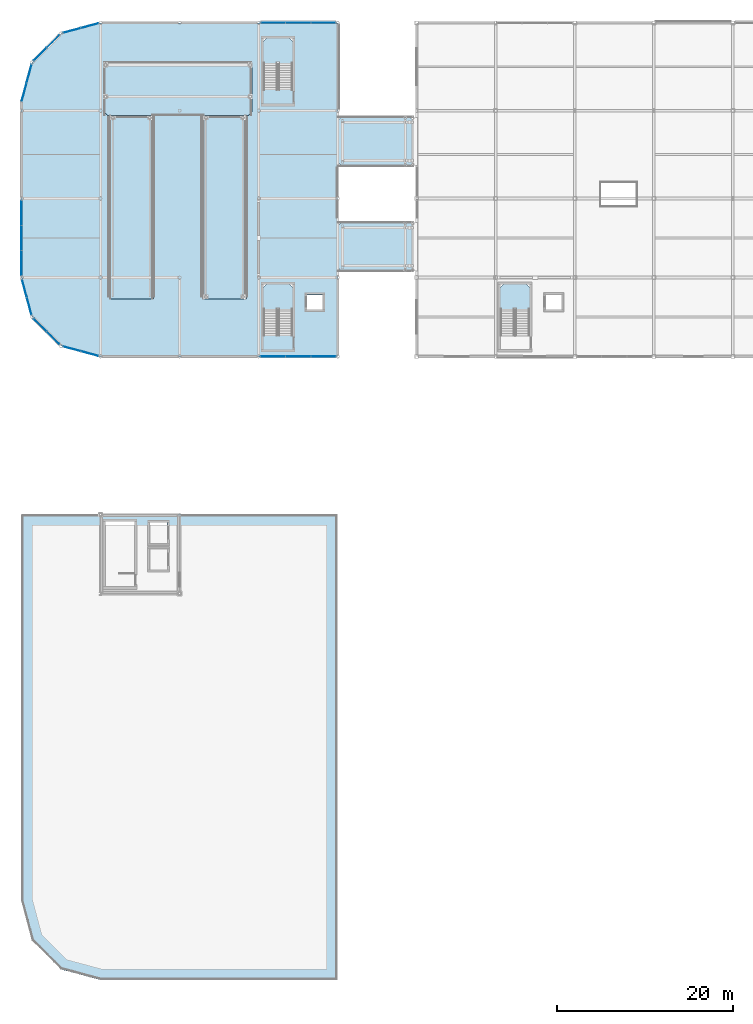
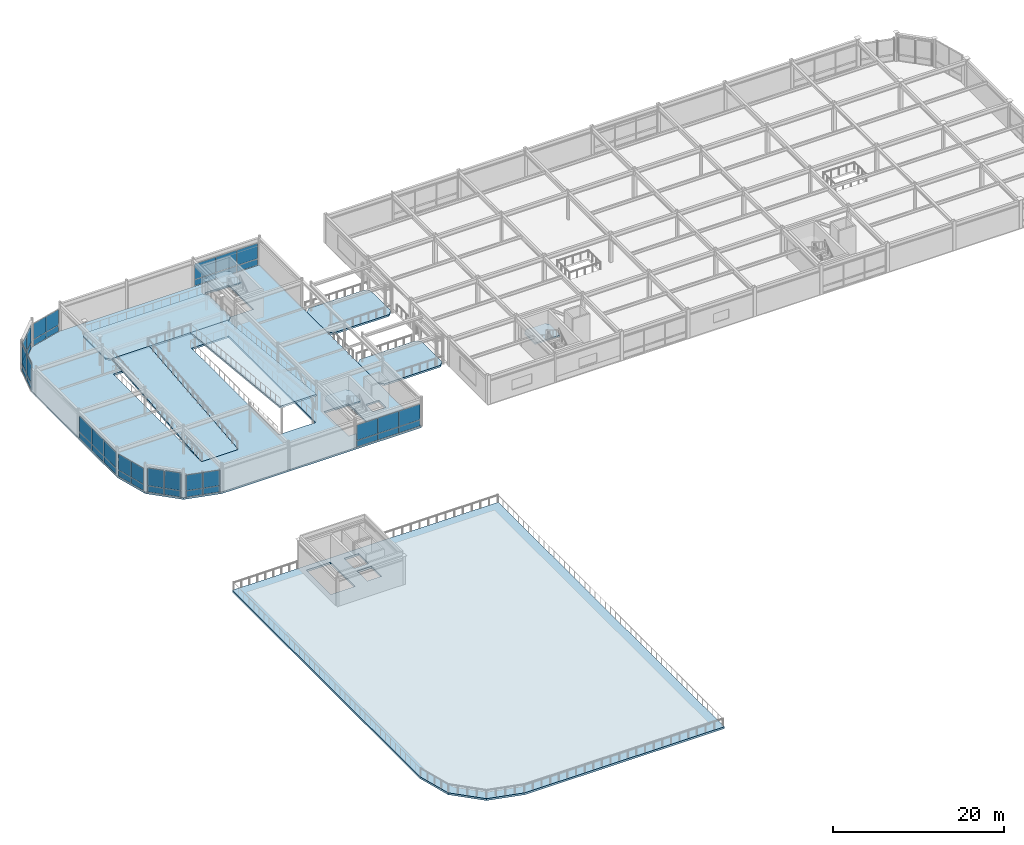
# One storey, part 40 of 70: 42 plates, 10 slabs, 12 elements without a shape of their own.
"""IFC4 building model written with IfcOpenShell, lengths in metres."""

import ifcopenshell
import ifcopenshell.guid

model = None  # the IFC model being written
_history = None  # IfcOwnerHistory: only IFC2X3 demands one
_inside = {}  # id of a spatial element -> (the spatial element, [elements in it])
_under = {}  # id of a project, library or spatial element -> (it, [spatial elements below it])
_declared = {}  # id of a project -> (the project, [libraries it declares])
_typed = {}  # id of a type object -> (the type object, [elements of that type])
_made_of = {}  # id of a material, layer set ... -> (it, [elements and type objects made of it])


def new_model(schema):
    """Start an empty IFC model of exactly this schema.

    Asked for "IFC4X3", IfcOpenShell would pick the latest addendum, in which some entities
    have other attributes; the version numbers below select the first issue.
    IFC2X3 requires an IfcOwnerHistory on every rooted entity: one is made here for all.
    """
    global model, _history
    if schema == "IFC4X3":
        model = ifcopenshell.file(schema_version=(4, 3, 0, 0))
    else:
        model = ifcopenshell.file(schema=schema)
    _inside.clear()
    _under.clear()
    _declared.clear()
    _typed.clear()
    _made_of.clear()
    _history = None
    if model.schema == "IFC2X3":
        org = make("IfcOrganization", Name="unknown")
        user = make(
            "IfcPersonAndOrganization",
            ThePerson=make("IfcPerson", FamilyName="unknown"),
            TheOrganization=org,
        )
        app = make(
            "IfcApplication",
            ApplicationDeveloper=org,
            Version="unknown",
            ApplicationFullName="unknown",
            ApplicationIdentifier="unknown",
        )
        _history = make(
            "IfcOwnerHistory",
            OwningUser=user,
            OwningApplication=app,
            ChangeAction="ADDED",
            CreationDate=0,
        )
    return model


def make(cls, **values):
    """One entity of the class cls with the attributes given. An attribute that is None is left unset."""
    return model.create_entity(
        cls, **{name: value for name, value in values.items() if value is not None}
    )


def rooted(cls, **values):
    """An entity with a GlobalId (a new one), such as an element, a storey or a relation."""
    return make(cls, GlobalId=ifcopenshell.guid.new(), OwnerHistory=_history, **values)


def si_unit(unit_type, name, prefix=None):
    """IfcSIUnit, for example si_unit("LENGTHUNIT", "METRE", prefix="MILLI")."""
    return make("IfcSIUnit", UnitType=unit_type, Prefix=prefix, Name=name)


def assignment(units):
    """IfcUnitAssignment: the units of a project."""
    return None if units is None else make("IfcUnitAssignment", Units=units)


def point(xyz):
    """IfcCartesianPoint."""
    return None if xyz is None else make("IfcCartesianPoint", Coordinates=xyz)


def direction(xyz):
    """IfcDirection."""
    return None if xyz is None else make("IfcDirection", DirectionRatios=xyz)


def frame(location, z_axis=None, x_axis=None):
    """IfcAxis2Placement3D, a coordinate frame: its origin and axes. An axis left out is left unset."""
    return make(
        "IfcAxis2Placement3D",
        Location=point(location),
        Axis=direction(z_axis),
        RefDirection=direction(x_axis),
    )


def frame_2d(location, x_axis=None):
    """IfcAxis2Placement2D, a coordinate frame in the plane: its origin and x axis."""
    return make(
        "IfcAxis2Placement2D", Location=point(location), RefDirection=direction(x_axis)
    )


def origin():
    """The frame at (0, 0, 0) with its axes left unset."""
    return frame((0.0, 0.0, 0.0))


def origin_2d():
    """The frame at (0, 0) in the plane with its x axis left unset."""
    return frame_2d((0.0, 0.0))


def place(relative_to, where):
    """IfcLocalPlacement: puts the frame where relative to a parent placement (None: the world)."""
    return make(
        "IfcLocalPlacement", PlacementRelTo=relative_to, RelativePlacement=where
    )


def context(
    kind, dimensions, precision=None, world=None, true_north=None, identifier=None
):
    """IfcGeometricRepresentationContext, for example the 3D "Model" context."""
    return make(
        "IfcGeometricRepresentationContext",
        ContextIdentifier=identifier,
        ContextType=kind,
        CoordinateSpaceDimension=dimensions,
        Precision=precision,
        WorldCoordinateSystem=world,
        TrueNorth=true_north,
    )


def subcontext(parent, identifier, kind, view, scale=None):
    """IfcGeometricRepresentationSubContext, for example "Body" below "Model"."""
    return make(
        "IfcGeometricRepresentationSubContext",
        ContextIdentifier=identifier,
        ContextType=kind,
        ParentContext=parent,
        TargetScale=scale,
        TargetView=view,
    )


def project(units=None, contexts=None):
    """IfcProject with its units and contexts."""
    return rooted(
        "IfcProject",
        Name="project",
        RepresentationContexts=contexts,
        UnitsInContext=assignment(units),
    )


def spatial(cls, under=None, at=None, **own):
    """A site, building, storey or space (cls), placed at a placement, below another one or the project."""
    s = rooted(cls, ObjectPlacement=at, **own)
    if under is not None:
        _under.setdefault(under.id(), (under, []))[1].append(s)
    return s


def polyline(points):
    """IfcPolyline through the points."""
    return make("IfcPolyline", Points=[point(p) for p in points])


def profile(cls, at=None, kind="AREA", **sizes):
    """A parametric profile (cls). Its sizes go by their IFC names, for example OverallWidth=200.0."""
    return make(cls, ProfileType=kind, Position=at, **sizes)


def rectangle(**sizes):
    """IfcRectangleProfileDef."""
    return profile("IfcRectangleProfileDef", **sizes)


def outline(outer, holes=None, kind="AREA"):
    """IfcArbitraryClosedProfileDef: a profile drawn as a closed curve; with holes, ...WithVoids."""
    if holes is None:
        return make("IfcArbitraryClosedProfileDef", ProfileType=kind, OuterCurve=outer)
    return make(
        "IfcArbitraryProfileDefWithVoids",
        ProfileType=kind,
        OuterCurve=outer,
        InnerCurves=holes,
    )


def extrude(swept, where, along, depth):
    """IfcExtrudedAreaSolid: the profile swept, set in the frame where, extruded along a direction by depth."""
    return make(
        "IfcExtrudedAreaSolid",
        SweptArea=swept,
        Position=where,
        ExtrudedDirection=direction(along),
        Depth=depth,
    )


def shape(context_of_items, identifier, shape_type, items):
    """IfcShapeRepresentation: the items that make up one representation, for example the "Body"."""
    return make(
        "IfcShapeRepresentation",
        ContextOfItems=context_of_items,
        RepresentationIdentifier=identifier,
        RepresentationType=shape_type,
        Items=items,
    )


def material(Name=None, Category=None):
    """IfcMaterial."""
    return make("IfcMaterial", Name=Name, Category=Category)


def layer(
    of_material, thickness, ventilated=None, Name=None, Category=None, Priority=None
):
    """IfcMaterialLayer: one layer of a wall or slab, of a material (None: an air gap)."""
    return make(
        "IfcMaterialLayer",
        Material=of_material,
        LayerThickness=thickness,
        IsVentilated=ventilated,
        Name=Name,
        Category=Category,
        Priority=Priority,
    )


def layer_set(layers, Name=None):
    """IfcMaterialLayerSet."""
    return make("IfcMaterialLayerSet", MaterialLayers=layers, LayerSetName=Name)


def made_of(thing, what):
    """Note that an element or type object is made of a material, layer set ...; save() writes the relation."""
    if what is not None:
        _made_of.setdefault(what.id(), (what, []))[1].append(thing)
    return thing


def type_object(cls, material=None, **own):
    """A type object (cls), such as IfcWallType, which elements share."""
    return made_of(rooted(cls, **own), material)


def element(
    cls,
    number,
    at=None,
    inside=None,
    cuts=None,
    type_object=None,
    material=None,
    context=None,
    identifier="Body",
    shape_type=None,
    held_by="IfcProductDefinitionShape",
    body=None,
    shapes=None,
    **own,
):
    """One element of the class cls, such as IfcWall. Its Tag is "e" and its number.

    at: its placement. inside: the storey or other place that contains it. cuts: it is an
    opening in that element (IfcRelVoidsElement). A single representation is given by context,
    identifier, shape_type and body (its items); several are given by shapes. held_by: the class
    of the entity that holds the representations. save() writes the other relations.
    """
    e = rooted(cls, Tag="e%d" % number, ObjectPlacement=at, **own)
    if body is not None:
        shapes = [shape(context, identifier, shape_type, body)]
    if shapes is not None:
        e.Representation = make(held_by, Representations=shapes)
    if inside is not None:
        _inside.setdefault(inside.id(), (inside, []))[1].append(e)
    if cuts is not None:
        rooted(
            "IfcRelVoidsElement", RelatingBuildingElement=cuts, RelatedOpeningElement=e
        )
    if type_object is not None:
        _typed.setdefault(type_object.id(), (type_object, []))[1].append(e)
    return made_of(e, material)


def aggregate(whole, parts):
    """IfcRelAggregates: a whole, such as a stair, and the parts it consists of."""
    return rooted("IfcRelAggregates", RelatingObject=whole, RelatedObjects=parts)


def save(model, path):
    """Write the relations noted so far, then the file.

    IfcRelAggregates (storeys below a building ...), IfcRelContainedInSpatialStructure (elements
    in a storey), IfcRelDefinesByType, IfcRelAssociatesMaterial and IfcRelDeclares: one each for
    every whole, place, type object, material and project.
    """
    for whole, parts in _under.values():
        aggregate(whole, parts)
    for where, things in _inside.values():
        rooted(
            "IfcRelContainedInSpatialStructure",
            RelatedElements=things,
            RelatingStructure=where,
        )
    for kind, things in _typed.values():
        rooted("IfcRelDefinesByType", RelatedObjects=things, RelatingType=kind)
    for what, things in _made_of.values():
        rooted("IfcRelAssociatesMaterial", RelatedObjects=things, RelatingMaterial=what)
    for by, libraries in _declared.values():
        rooted("IfcRelDeclares", RelatingContext=by, RelatedDefinitions=libraries)
    model.write(path)


model = new_model("IFC4")

# Units and contexts
model_context = context("Model", 3, precision=1e-05, world=origin(), true_north=direction((0.0, 1.0)))
body_context = subcontext(model_context, "Body", "Model", "MODEL_VIEW")
ifc_project = project(units=[si_unit("LENGTHUNIT", "METRE"), si_unit("AREAUNIT", "SQUARE_METRE"), si_unit("VOLUMEUNIT", "CUBIC_METRE"), si_unit("PLANEANGLEUNIT", "RADIAN"), si_unit("MASSUNIT", "GRAM", prefix="KILO")], contexts=[model_context])

# Site, building, storey
site_placement = place(None, origin())
site = spatial("IfcSite", under=ifc_project, at=site_placement, CompositionType="ELEMENT")
building_placement = place(site_placement, origin())
building = spatial("IfcBuilding", under=site, at=building_placement, Name="Suzunagisa Mobility Hub", CompositionType="ELEMENT")
storey_placement = place(building_placement, frame((0.0, 0.0, 13.5)))
storey = spatial("IfcBuildingStorey", under=building, at=storey_placement, Name="L03", CompositionType="ELEMENT", Elevation=13.5)

# Slabs
ifc_material_1 = material(Name="Concrete C35/45", Category="concrete")
ifc_layer_1 = layer(ifc_material_1, 0.260009765625)
ifc_layer_set_1 = layer_set([ifc_layer_1], Name="Concrete C35/45")
slab_type_1 = type_object("IfcSlabType", Name="Composite Slab SL-12 260mm", PredefinedType="FLOOR", material=ifc_layer_set_1)
slab_1_placement = place(storey_placement, frame((0.0, 0.0, -0.260009765625)))
element("IfcSlab", 1, at=slab_1_placement, inside=storey, type_object=slab_type_1, Name="L03 Bridge Deck VRL-L03-S", PredefinedType="FLOOR", context=body_context, shape_type="SweptSolid", body=[
    extrude(outline(polyline([(36.550048828125, 89.60009765625), (44.10009765625, 89.60009765625), (44.64990234375, 90.14990234375), (44.64990234375, 94.85009765625), (44.10009765625, 95.39990234375), (36.550048828125, 95.39990234375), (36.0, 94.85009765625), (36.0, 90.14990234375), (36.550048828125, 89.60009765625)])), origin(), (0.0, 0.0, 1.0), 0.260009765625),
])
slab_2_placement = place(storey_placement, frame((0.0, 0.0, -0.260009765625)))
element("IfcSlab", 2, at=slab_2_placement, inside=storey, type_object=slab_type_1, Name="L03 Bridge Deck VRL-L03-N", PredefinedType="FLOOR", context=body_context, shape_type="SweptSolid", body=[
    extrude(outline(polyline([(36.550048828125, 101.60009765625), (44.10009765625, 101.60009765625), (44.64990234375, 102.14990234375), (44.64990234375, 106.85009765625), (44.10009765625, 107.39990234375), (36.550048828125, 107.39990234375), (36.0, 106.85009765625), (36.0, 102.14990234375), (36.550048828125, 101.60009765625)])), origin(), (0.0, 0.0, 1.0), 0.260009765625),
])
ifc_layer_2 = layer(ifc_material_1, 0.25)
ifc_layer_set_2 = layer_set([ifc_layer_2], Name="Concrete C35/45")
slab_type_2 = type_object("IfcSlabType", Name="Composite Slab SL-13 250mm", PredefinedType="FLOOR", material=ifc_layer_set_2)
slab_3_placement = place(storey_placement, frame((0.0, 0.0, -0.25)))
element("IfcSlab", 3, at=slab_3_placement, inside=storey, type_object=slab_type_2, Name="L03 V2 Floor Slab", PredefinedType="FLOOR", context=body_context, shape_type="SweptSolid", body=[
    extrude(outline(polyline([(0.0, 89.0), (1.205810546875, 84.5), (4.5, 81.205810546875), (9.0, 80.0), (36.0, 80.0), (36.0, 118.0), (9.0, 118.0), (4.5, 116.794189453125), (1.205810546875, 113.5), (0.0, 109.0), (0.0, 89.0)]), holes=[polyline([(27.56005859375, 82.47998046875), (30.840087890625, 82.47998046875), (30.840087890625, 88.199951171875), (27.56005859375, 88.199951171875), (27.56005859375, 82.47998046875)]), polyline([(32.52001953125, 85.3701171875), (34.280029296875, 85.3701171875), (34.280029296875, 87.030029296875), (32.52001953125, 87.030029296875), (32.52001953125, 85.3701171875)]), polyline([(27.56005859375, 110.47998046875), (30.840087890625, 110.47998046875), (30.840087890625, 116.199951171875), (27.56005859375, 116.199951171875), (27.56005859375, 110.47998046875)]), polyline([(10.0, 86.800048828125), (15.0, 86.800048828125), (15.0, 107.199951171875), (10.0, 107.199951171875), (10.0, 86.800048828125)]), polyline([(20.60009765625, 86.800048828125), (25.60009765625, 86.800048828125), (25.60009765625, 107.199951171875), (20.60009765625, 107.199951171875), (20.60009765625, 86.800048828125)])]), origin(), (0.0, 0.0, 1.0), 0.25),
])
slab_4_placement = place(storey_placement, frame((0.0, 0.0, 1.85009765625)))
element("IfcSlab", 4, at=slab_4_placement, inside=storey, type_object=slab_type_2, Name="L03 Vehicle Ramp Turn Deck VR-06-L1", PredefinedType="FLOOR", context=body_context, shape_type="SweptSolid", body=[
    extrude(outline(polyline([(9.800048828125, 107.449951171875), (25.800048828125, 107.449951171875), (26.25, 107.89990234375), (26.25, 113.14990234375), (25.800048828125, 113.60009765625), (9.800048828125, 113.60009765625), (9.35009765625, 113.14990234375), (9.35009765625, 107.89990234375), (9.800048828125, 107.449951171875)])), origin(), (0.0, 0.0, 1.0), 0.25),
])
ifc_layer_3 = layer(ifc_material_1, 0.280029296875)
ifc_layer_set_3 = layer_set([ifc_layer_3], Name="Concrete C35/45")
slab_type_3 = type_object("IfcSlabType", Name="Composite Slab SL-15 280mm", PredefinedType="ROOF", material=ifc_layer_set_3)
slab_5_placement = place(storey_placement, frame((0.0, 0.0, -0.280029296875)))
element("IfcSlab", 5, at=slab_5_placement, inside=storey, type_object=slab_type_3, Name="L03 V5 Roof Terrace Slab", PredefinedType="ROOF", context=body_context, shape_type="SweptSolid", body=[
    extrude(outline(polyline([(0.0, 18.0), (1.205810546875, 13.5), (4.5, 10.205810546875), (9.0, 9.0), (36.0, 9.0), (36.0, 62.0), (0.0, 62.0), (0.0, 18.0)]), holes=[polyline([(9.56005859375, 55.47998046875), (12.840087890625, 55.47998046875), (12.840087890625, 61.199951171875), (9.56005859375, 61.199951171875), (9.56005859375, 55.47998046875)]), polyline([(14.6201171875, 55.719970703125), (16.580078125, 55.719970703125), (16.580078125, 58.080078125), (14.6201171875, 58.080078125), (14.6201171875, 55.719970703125)]), polyline([(14.6201171875, 58.719970703125), (16.580078125, 58.719970703125), (16.580078125, 61.080078125), (14.6201171875, 61.080078125), (14.6201171875, 58.719970703125)])]), origin(), (0.0, 0.0, 1.0), 0.280029296875),
])
ifc_layer_4 = layer(ifc_material_1, 0.25)
ifc_layer_set_4 = layer_set([ifc_layer_4], Name="Concrete C35/45")
slab_type_4 = type_object("IfcSlabType", Name="Composite Slab SL-19 250mm", PredefinedType="FLOOR", material=ifc_layer_set_4)
slab_6_placement = place(storey_placement, frame((10.0, 86.550048828125, 0.0), z_axis=(0.0, -0.099980131177, 0.994989433798), x_axis=(1.0, 0.0, 0.0)))
element("IfcSlab", 6, at=slab_6_placement, inside=storey, type_object=slab_type_4, Name="L03 Vehicle Ramp Slab VR-06-F1", PredefinedType="FLOOR", context=body_context, shape_type="SweptSolid", body=[
    extrude(outline(polyline([(0.0, 0.0), (5.0, 0.0), (5.0, 21.005150038599428), (0.0, 21.005150038599428), (0.0, 0.0)])), origin(), (0.0, 0.0, -1.0), 0.25),
])
slab_7_placement = place(storey_placement, frame((20.60009765625, 107.449951171875, 2.10009765625), z_axis=(0.0, 0.099968624446, 0.994990589969), x_axis=(1.0, 0.0, 0.0)))
element("IfcSlab", 7, at=slab_7_placement, inside=storey, type_object=slab_type_4, Name="L03 Vehicle Ramp Slab VR-06-F2", PredefinedType="FLOOR", context=body_context, shape_type="SweptSolid", body=[
    extrude(outline(polyline([(0.0, 0.0), (5.0, 0.0), (5.0, -21.005125630792342), (0.0, -21.005125630792342), (0.0, 0.0)])), origin(), (0.0, 0.0, -1.0), 0.25),
])

# Stair, slab
stair_type_1 = type_object("IfcStairType", Name="Dog-Leg Core Escape Stair ST-05 W1560", PredefinedType="HALF_TURN_STAIR", material=ifc_material_1)
stair_1_placement = place(storey_placement, origin())
stair_1 = element("IfcStair", 8, at=stair_1_placement, inside=storey, type_object=stair_type_1, Name="L03 Core C6 Escape Stair ST-05", PredefinedType="HALF_TURN_STAIR")
ifc_layer_5 = layer(ifc_material_1, 0.199951171875)
ifc_layer_set_5 = layer_set([ifc_layer_5], Name="Concrete C35/45")
slab_type_5 = type_object("IfcSlabType", Name="Core Stair Half-Landing Slab SL-SLND", PredefinedType="LANDING", material=ifc_layer_set_5)
slab_8_placement = place(storey_placement, frame((0.0, 0.0, 1.89990234375)))
slab_8 = element("IfcSlab", 9, at=slab_8_placement, type_object=slab_type_5, Name="ST-05 landing 1", PredefinedType="LANDING", context=body_context, shape_type="SweptSolid", body=[
    extrude(outline(polyline([(27.4599609375, 85.360107421875), (30.93994140625, 85.360107421875), (30.93994140625, 87.820068359375), (30.4599609375, 88.300048828125), (27.93994140625, 88.300048828125), (27.4599609375, 87.820068359375), (27.4599609375, 85.360107421875)])), origin(), (0.0, 0.0, 1.0), 0.2001953125),
])
aggregate(stair_1, [slab_8])

stair_type_2 = type_object("IfcStairType", Name="Dog-Leg Core Escape Stair ST-06 W1560", PredefinedType="HALF_TURN_STAIR", material=ifc_material_1)
stair_2_placement = place(storey_placement, origin())
stair_2 = element("IfcStair", 10, at=stair_2_placement, inside=storey, type_object=stair_type_2, Name="L03 Core C6B Escape Stair ST-06", PredefinedType="HALF_TURN_STAIR")
slab_9_placement = place(storey_placement, frame((0.0, 0.0, 1.89990234375)))
slab_9 = element("IfcSlab", 11, at=slab_9_placement, type_object=slab_type_5, Name="ST-06 landing 1", PredefinedType="LANDING", context=body_context, shape_type="SweptSolid", body=[
    extrude(outline(polyline([(27.4599609375, 113.360107421875), (30.93994140625, 113.360107421875), (30.93994140625, 115.820068359375), (30.4599609375, 116.300048828125), (27.93994140625, 116.300048828125), (27.4599609375, 115.820068359375), (27.4599609375, 113.360107421875)])), origin(), (0.0, 0.0, 1.0), 0.2001953125),
])
aggregate(stair_2, [slab_9])

stair_type_3 = type_object("IfcStairType", Name="Dog-Leg Core Escape Stair ST-07 W1560", PredefinedType="HALF_TURN_STAIR", material=ifc_material_1)
stair_3_placement = place(storey_placement, origin())
stair_3 = element("IfcStair", 12, at=stair_3_placement, inside=storey, type_object=stair_type_3, Name="L03 Core C3 Escape Stair ST-07", PredefinedType="HALF_TURN_STAIR")
slab_10_placement = place(storey_placement, frame((0.0, 0.0, 1.89990234375)))
slab_10 = element("IfcSlab", 13, at=slab_10_placement, type_object=slab_type_5, Name="ST-07 landing 1", PredefinedType="LANDING", context=body_context, shape_type="SweptSolid", body=[
    extrude(outline(polyline([(54.4599609375, 85.360107421875), (57.93994140625, 85.360107421875), (57.93994140625, 87.820068359375), (57.4599609375, 88.300048828125), (54.93994140625, 88.300048828125), (54.4599609375, 87.820068359375), (54.4599609375, 85.360107421875)])), origin(), (0.0, 0.0, 1.0), 0.2001953125),
])
aggregate(stair_3, [slab_10])

# Curtain wall, plates
ifc_material_2 = material(Name="Thermally Broken Anodized Aluminum and Low-E Glazing", Category="aluminium")
curtain_wall_type_1 = type_object("IfcCurtainWallType", Name="Unitised Curtain Wall CW-06 4250x3300", PredefinedType="USERDEFINED", material=ifc_material_2)
curtain_wall_1_placement = place(storey_placement, origin())
curtain_wall_1 = element("IfcCurtainWall", 14, at=curtain_wall_1_placement, inside=storey, type_object=curtain_wall_type_1, Name="L03 Unitised Curtain Wall CW-71", ObjectType="UNITISED CURTAIN WALL", PredefinedType="USERDEFINED")
ifc_material_3 = material(Name="Low-E Solar-Control Double Glazing", Category="glass")
ifc_layer_6 = layer(ifc_material_3, 0.028076171875)
ifc_layer_set_6 = layer_set([ifc_layer_6], Name="Low-E Solar-Control Double Glazing")
plate_type = type_object("IfcPlateType", Name="Low-E Double Glazed Curtain Panel GP-01 28mm", PredefinedType="CURTAIN_PANEL", material=ifc_layer_set_6)
plate_1_placement = place(storey_placement, frame((0.33349609375, 87.75537109375, 0.05810546875), z_axis=(0.0, 0.0, 1.0), x_axis=(0.258803152984, -0.965930084429, 0.0)))
plate_1 = element("IfcPlate", 15, at=plate_1_placement, type_object=plate_type, Name="Curtain Wall Glazing Panel 71-P1.1", PredefinedType="CURTAIN_PANEL", context=body_context, shape_type="SweptSolid", body=[
    extrude(rectangle(XDim=2.025634765625, YDim=0.028076171875, at=origin_2d()), origin(), (0.0, 0.0, 1.0), 0.864013671875),
])
plate_2_placement = place(storey_placement, frame((0.33349609375, 87.75537109375, 0.97802734375), z_axis=(0.0, 0.0, 1.0), x_axis=(0.258803152984, -0.965930084429, 0.0)))
plate_2 = element("IfcPlate", 16, at=plate_2_placement, type_object=plate_type, Name="Curtain Wall Glazing Panel 71-P1.2", PredefinedType="CURTAIN_PANEL", context=body_context, shape_type="SweptSolid", body=[
    extrude(rectangle(XDim=2.025634765625, YDim=0.028076171875, at=origin_2d()), origin(), (0.0, 0.0, 1.0), 2.263916015625),
])
plate_3_placement = place(storey_placement, frame((0.872314453125, 85.74462890625, 0.05810546875), z_axis=(0.0, 0.0, 1.0), x_axis=(0.258803152984, -0.965930084429, 0.0)))
plate_3 = element("IfcPlate", 17, at=plate_3_placement, type_object=plate_type, Name="Curtain Wall Glazing Panel 71-P2.1", PredefinedType="CURTAIN_PANEL", context=body_context, shape_type="SweptSolid", body=[
    extrude(rectangle(XDim=2.025634765625, YDim=0.028076171875, at=origin_2d()), origin(), (0.0, 0.0, 1.0), 0.864013671875),
])
plate_4_placement = place(storey_placement, frame((0.872314453125, 85.74462890625, 0.97802734375), z_axis=(0.0, 0.0, 1.0), x_axis=(0.258803152984, -0.965930084429, 0.0)))
plate_4 = element("IfcPlate", 18, at=plate_4_placement, type_object=plate_type, Name="Curtain Wall Glazing Panel 71-P2.2", PredefinedType="CURTAIN_PANEL", context=body_context, shape_type="SweptSolid", body=[
    extrude(rectangle(XDim=2.025634765625, YDim=0.028076171875, at=origin_2d()), origin(), (0.0, 0.0, 1.0), 2.263916015625),
])
aggregate(curtain_wall_1, [plate_1, plate_2, plate_3, plate_4])

curtain_wall_type_2 = type_object("IfcCurtainWallType", Name="Unitised Curtain Wall CW-44 4250x3600", PredefinedType="USERDEFINED", material=ifc_material_2)
curtain_wall_2_placement = place(storey_placement, origin())
curtain_wall_2 = element("IfcCurtainWall", 19, at=curtain_wall_2_placement, inside=storey, type_object=curtain_wall_type_2, Name="L03 Unitised Curtain Wall CW-72", ObjectType="UNITISED CURTAIN WALL", PredefinedType="USERDEFINED")
plate_5_placement = place(storey_placement, frame((2.12890625, 83.576904296875, 0.05810546875), z_axis=(0.0, 0.0, 1.0), x_axis=(0.707106781187, -0.707106781187, 0.0)))
plate_5 = element("IfcPlate", 20, at=plate_5_placement, type_object=plate_type, Name="Curtain Wall Glazing Panel 72-P1.1", PredefinedType="CURTAIN_PANEL", context=body_context, shape_type="SweptSolid", body=[
    extrude(rectangle(XDim=1.991943359375, YDim=0.028076171875, at=origin_2d()), origin(), (0.0, 0.0, 1.0), 0.864013671875),
])
plate_6_placement = place(storey_placement, frame((2.12890625, 83.576904296875, 0.97802734375), z_axis=(0.0, 0.0, 1.0), x_axis=(0.707106781187, -0.707106781187, 0.0)))
plate_6 = element("IfcPlate", 21, at=plate_6_placement, type_object=plate_type, Name="Curtain Wall Glazing Panel 72-P1.2", PredefinedType="CURTAIN_PANEL", context=body_context, shape_type="SweptSolid", body=[
    extrude(rectangle(XDim=1.991943359375, YDim=0.028076171875, at=origin_2d()), origin(), (0.0, 0.0, 1.0), 2.513916015625),
])
plate_7_placement = place(storey_placement, frame((3.576904296875, 82.12890625, 0.05810546875), z_axis=(0.0, 0.0, 1.0), x_axis=(0.707106781187, -0.707106781187, 0.0)))
plate_7 = element("IfcPlate", 22, at=plate_7_placement, type_object=plate_type, Name="Curtain Wall Glazing Panel 72-P2.1", PredefinedType="CURTAIN_PANEL", context=body_context, shape_type="SweptSolid", body=[
    extrude(rectangle(XDim=1.991943359375, YDim=0.028076171875, at=origin_2d()), origin(), (0.0, 0.0, 1.0), 0.864013671875),
])
plate_8_placement = place(storey_placement, frame((3.576904296875, 82.12890625, 0.97802734375), z_axis=(0.0, 0.0, 1.0), x_axis=(0.707106781187, -0.707106781187, 0.0)))
plate_8 = element("IfcPlate", 23, at=plate_8_placement, type_object=plate_type, Name="Curtain Wall Glazing Panel 72-P2.2", PredefinedType="CURTAIN_PANEL", context=body_context, shape_type="SweptSolid", body=[
    extrude(rectangle(XDim=1.991943359375, YDim=0.028076171875, at=origin_2d()), origin(), (0.0, 0.0, 1.0), 2.513916015625),
])
aggregate(curtain_wall_2, [plate_5, plate_6, plate_7, plate_8])

curtain_wall_type_3 = type_object("IfcCurtainWallType", Name="Unitised Curtain Wall CW-01 4250x3200", PredefinedType="USERDEFINED", material=ifc_material_2)
curtain_wall_3_placement = place(storey_placement, origin())
curtain_wall_3 = element("IfcCurtainWall", 24, at=curtain_wall_3_placement, inside=storey, type_object=curtain_wall_type_3, Name="L03 Unitised Curtain Wall CW-73", ObjectType="UNITISED CURTAIN WALL", PredefinedType="USERDEFINED")
plate_9_placement = place(storey_placement, frame((5.74462890625, 80.872314453125, 0.05810546875), z_axis=(0.0, 0.0, 1.0), x_axis=(0.965930084429, -0.258803152984, 0.0)))
plate_9 = element("IfcPlate", 25, at=plate_9_placement, type_object=plate_type, Name="Curtain Wall Glazing Panel 73-P1.1", PredefinedType="CURTAIN_PANEL", context=body_context, shape_type="SweptSolid", body=[
    extrude(rectangle(XDim=2.025634765625, YDim=0.028076171875, at=origin_2d()), origin(), (0.0, 0.0, 1.0), 0.864013671875),
])
plate_10_placement = place(storey_placement, frame((5.74462890625, 80.872314453125, 0.97802734375), z_axis=(0.0, 0.0, 1.0), x_axis=(0.965930084429, -0.258803152984, 0.0)))
plate_10 = element("IfcPlate", 26, at=plate_10_placement, type_object=plate_type, Name="Curtain Wall Glazing Panel 73-P1.2", PredefinedType="CURTAIN_PANEL", context=body_context, shape_type="SweptSolid", body=[
    extrude(rectangle(XDim=2.025634765625, YDim=0.028076171875, at=origin_2d()), origin(), (0.0, 0.0, 1.0), 2.214111328125),
])
plate_11_placement = place(storey_placement, frame((7.75537109375, 80.33349609375, 0.05810546875), z_axis=(0.0, 0.0, 1.0), x_axis=(0.965930084429, -0.258803152984, 0.0)))
plate_11 = element("IfcPlate", 27, at=plate_11_placement, type_object=plate_type, Name="Curtain Wall Glazing Panel 73-P2.1", PredefinedType="CURTAIN_PANEL", context=body_context, shape_type="SweptSolid", body=[
    extrude(rectangle(XDim=2.025634765625, YDim=0.028076171875, at=origin_2d()), origin(), (0.0, 0.0, 1.0), 0.864013671875),
])
plate_12_placement = place(storey_placement, frame((7.75537109375, 80.33349609375, 0.97802734375), z_axis=(0.0, 0.0, 1.0), x_axis=(0.965930084429, -0.258803152984, 0.0)))
plate_12 = element("IfcPlate", 28, at=plate_12_placement, type_object=plate_type, Name="Curtain Wall Glazing Panel 73-P2.2", PredefinedType="CURTAIN_PANEL", context=body_context, shape_type="SweptSolid", body=[
    extrude(rectangle(XDim=2.025634765625, YDim=0.028076171875, at=origin_2d()), origin(), (0.0, 0.0, 1.0), 2.214111328125),
])
aggregate(curtain_wall_3, [plate_9, plate_10, plate_11, plate_12])

curtain_wall_type_4 = type_object("IfcCurtainWallType", Name="Unitised Curtain Wall CW-13 8750x3200", PredefinedType="USERDEFINED", material=ifc_material_2)
curtain_wall_4_placement = place(storey_placement, origin())
curtain_wall_4 = element("IfcCurtainWall", 29, at=curtain_wall_4_placement, inside=storey, type_object=curtain_wall_type_4, Name="L03 Unitised Curtain Wall CW-74", ObjectType="UNITISED CURTAIN WALL", PredefinedType="USERDEFINED")
plate_13_placement = place(storey_placement, frame((28.633544921875, 80.0, 0.06298828125), z_axis=(0.0, 0.0, 1.0), x_axis=(1.0, 0.0, 0.0)))
plate_13 = element("IfcPlate", 30, at=plate_13_placement, type_object=plate_type, Name="Curtain Wall Glazing Panel 74-P1.1", PredefinedType="CURTAIN_PANEL", context=body_context, shape_type="SweptSolid", body=[
    extrude(rectangle(XDim=2.79541015625, YDim=0.028076171875, at=origin_2d()), origin(), (0.0, 0.0, 1.0), 0.8564453125),
])
plate_14_placement = place(storey_placement, frame((28.633544921875, 80.0, 0.98046875), z_axis=(0.0, 0.0, 1.0), x_axis=(1.0, 0.0, 0.0)))
plate_14 = element("IfcPlate", 31, at=plate_14_placement, type_object=plate_type, Name="Curtain Wall Glazing Panel 74-P1.2", PredefinedType="CURTAIN_PANEL", context=body_context, shape_type="SweptSolid", body=[
    extrude(rectangle(XDim=2.79541015625, YDim=0.028076171875, at=origin_2d()), origin(), (0.0, 0.0, 1.0), 2.20654296875),
])
plate_15_placement = place(storey_placement, frame((31.5, 80.0, 0.06298828125), z_axis=(0.0, 0.0, 1.0), x_axis=(1.0, 0.0, 0.0)))
plate_15 = element("IfcPlate", 32, at=plate_15_placement, type_object=plate_type, Name="Curtain Wall Glazing Panel 74-P2.1", PredefinedType="CURTAIN_PANEL", context=body_context, shape_type="SweptSolid", body=[
    extrude(rectangle(XDim=2.825439453125, YDim=0.028076171875, at=origin_2d()), origin(), (0.0, 0.0, 1.0), 0.8564453125),
])
plate_16_placement = place(storey_placement, frame((31.5, 80.0, 0.98046875), z_axis=(0.0, 0.0, 1.0), x_axis=(1.0, 0.0, 0.0)))
plate_16 = element("IfcPlate", 33, at=plate_16_placement, type_object=plate_type, Name="Curtain Wall Glazing Panel 74-P2.2", PredefinedType="CURTAIN_PANEL", context=body_context, shape_type="SweptSolid", body=[
    extrude(rectangle(XDim=2.825439453125, YDim=0.028076171875, at=origin_2d()), origin(), (0.0, 0.0, 1.0), 2.20654296875),
])
plate_17_placement = place(storey_placement, frame((34.366455078125, 80.0, 0.06298828125), z_axis=(0.0, 0.0, 1.0), x_axis=(1.0, 0.0, 0.0)))
plate_17 = element("IfcPlate", 34, at=plate_17_placement, type_object=plate_type, Name="Curtain Wall Glazing Panel 74-P3.1", PredefinedType="CURTAIN_PANEL", context=body_context, shape_type="SweptSolid", body=[
    extrude(rectangle(XDim=2.79541015625, YDim=0.028076171875, at=origin_2d()), origin(), (0.0, 0.0, 1.0), 0.8564453125),
])
plate_18_placement = place(storey_placement, frame((34.366455078125, 80.0, 0.98046875), z_axis=(0.0, 0.0, 1.0), x_axis=(1.0, 0.0, 0.0)))
plate_18 = element("IfcPlate", 35, at=plate_18_placement, type_object=plate_type, Name="Curtain Wall Glazing Panel 74-P3.2", PredefinedType="CURTAIN_PANEL", context=body_context, shape_type="SweptSolid", body=[
    extrude(rectangle(XDim=2.79541015625, YDim=0.028076171875, at=origin_2d()), origin(), (0.0, 0.0, 1.0), 2.20654296875),
])
aggregate(curtain_wall_4, [plate_13, plate_14, plate_15, plate_16, plate_17, plate_18])

curtain_wall_5_placement = place(storey_placement, origin())
curtain_wall_5 = element("IfcCurtainWall", 36, at=curtain_wall_5_placement, inside=storey, type_object=curtain_wall_type_4, Name="L03 Unitised Curtain Wall CW-75", ObjectType="UNITISED CURTAIN WALL", PredefinedType="USERDEFINED")
plate_19_placement = place(storey_placement, frame((34.366455078125, 118.0, 0.06298828125), z_axis=(0.0, 0.0, 1.0), x_axis=(-1.0, 0.0, 0.0)))
plate_19 = element("IfcPlate", 37, at=plate_19_placement, type_object=plate_type, Name="Curtain Wall Glazing Panel 75-P1.1", PredefinedType="CURTAIN_PANEL", context=body_context, shape_type="SweptSolid", body=[
    extrude(rectangle(XDim=2.79541015625, YDim=0.028076171875, at=origin_2d()), origin(), (0.0, 0.0, 1.0), 0.8564453125),
])
plate_20_placement = place(storey_placement, frame((34.366455078125, 118.0, 0.98046875), z_axis=(0.0, 0.0, 1.0), x_axis=(-1.0, 0.0, 0.0)))
plate_20 = element("IfcPlate", 38, at=plate_20_placement, type_object=plate_type, Name="Curtain Wall Glazing Panel 75-P1.2", PredefinedType="CURTAIN_PANEL", context=body_context, shape_type="SweptSolid", body=[
    extrude(rectangle(XDim=2.79541015625, YDim=0.028076171875, at=origin_2d()), origin(), (0.0, 0.0, 1.0), 2.20654296875),
])
plate_21_placement = place(storey_placement, frame((31.5, 118.0, 0.06298828125), z_axis=(0.0, 0.0, 1.0), x_axis=(-1.0, 0.0, 0.0)))
plate_21 = element("IfcPlate", 39, at=plate_21_placement, type_object=plate_type, Name="Curtain Wall Glazing Panel 75-P2.1", PredefinedType="CURTAIN_PANEL", context=body_context, shape_type="SweptSolid", body=[
    extrude(rectangle(XDim=2.825439453125, YDim=0.028076171875, at=origin_2d()), origin(), (0.0, 0.0, 1.0), 0.8564453125),
])
plate_22_placement = place(storey_placement, frame((31.5, 118.0, 0.98046875), z_axis=(0.0, 0.0, 1.0), x_axis=(-1.0, 0.0, 0.0)))
plate_22 = element("IfcPlate", 40, at=plate_22_placement, type_object=plate_type, Name="Curtain Wall Glazing Panel 75-P2.2", PredefinedType="CURTAIN_PANEL", context=body_context, shape_type="SweptSolid", body=[
    extrude(rectangle(XDim=2.825439453125, YDim=0.028076171875, at=origin_2d()), origin(), (0.0, 0.0, 1.0), 2.20654296875),
])
plate_23_placement = place(storey_placement, frame((28.633544921875, 118.0, 0.06298828125), z_axis=(0.0, 0.0, 1.0), x_axis=(-1.0, 0.0, 0.0)))
plate_23 = element("IfcPlate", 41, at=plate_23_placement, type_object=plate_type, Name="Curtain Wall Glazing Panel 75-P3.1", PredefinedType="CURTAIN_PANEL", context=body_context, shape_type="SweptSolid", body=[
    extrude(rectangle(XDim=2.79541015625, YDim=0.028076171875, at=origin_2d()), origin(), (0.0, 0.0, 1.0), 0.8564453125),
])
plate_24_placement = place(storey_placement, frame((28.633544921875, 118.0, 0.98046875), z_axis=(0.0, 0.0, 1.0), x_axis=(-1.0, 0.0, 0.0)))
plate_24 = element("IfcPlate", 42, at=plate_24_placement, type_object=plate_type, Name="Curtain Wall Glazing Panel 75-P3.2", PredefinedType="CURTAIN_PANEL", context=body_context, shape_type="SweptSolid", body=[
    extrude(rectangle(XDim=2.79541015625, YDim=0.028076171875, at=origin_2d()), origin(), (0.0, 0.0, 1.0), 2.20654296875),
])
aggregate(curtain_wall_5, [plate_19, plate_20, plate_21, plate_22, plate_23, plate_24])

curtain_wall_6_placement = place(storey_placement, origin())
curtain_wall_6 = element("IfcCurtainWall", 43, at=curtain_wall_6_placement, inside=storey, type_object=curtain_wall_type_3, Name="L03 Unitised Curtain Wall CW-76", ObjectType="UNITISED CURTAIN WALL", PredefinedType="USERDEFINED")
plate_25_placement = place(storey_placement, frame((7.75537109375, 117.66650390625, 0.05810546875), z_axis=(0.0, 0.0, 1.0), x_axis=(-0.965930084429, -0.258803152984, 0.0)))
plate_25 = element("IfcPlate", 44, at=plate_25_placement, type_object=plate_type, Name="Curtain Wall Glazing Panel 76-P1.1", PredefinedType="CURTAIN_PANEL", context=body_context, shape_type="SweptSolid", body=[
    extrude(rectangle(XDim=2.025634765625, YDim=0.028076171875, at=origin_2d()), origin(), (0.0, 0.0, 1.0), 0.864013671875),
])
plate_26_placement = place(storey_placement, frame((7.75537109375, 117.66650390625, 0.97802734375), z_axis=(0.0, 0.0, 1.0), x_axis=(-0.965930084429, -0.258803152984, 0.0)))
plate_26 = element("IfcPlate", 45, at=plate_26_placement, type_object=plate_type, Name="Curtain Wall Glazing Panel 76-P1.2", PredefinedType="CURTAIN_PANEL", context=body_context, shape_type="SweptSolid", body=[
    extrude(rectangle(XDim=2.025634765625, YDim=0.028076171875, at=origin_2d()), origin(), (0.0, 0.0, 1.0), 2.214111328125),
])
plate_27_placement = place(storey_placement, frame((5.74462890625, 117.127685546875, 0.05810546875), z_axis=(0.0, 0.0, 1.0), x_axis=(-0.965930084429, -0.258803152984, 0.0)))
plate_27 = element("IfcPlate", 46, at=plate_27_placement, type_object=plate_type, Name="Curtain Wall Glazing Panel 76-P2.1", PredefinedType="CURTAIN_PANEL", context=body_context, shape_type="SweptSolid", body=[
    extrude(rectangle(XDim=2.025634765625, YDim=0.028076171875, at=origin_2d()), origin(), (0.0, 0.0, 1.0), 0.864013671875),
])
plate_28_placement = place(storey_placement, frame((5.74462890625, 117.127685546875, 0.97802734375), z_axis=(0.0, 0.0, 1.0), x_axis=(-0.965930084429, -0.258803152984, 0.0)))
plate_28 = element("IfcPlate", 47, at=plate_28_placement, type_object=plate_type, Name="Curtain Wall Glazing Panel 76-P2.2", PredefinedType="CURTAIN_PANEL", context=body_context, shape_type="SweptSolid", body=[
    extrude(rectangle(XDim=2.025634765625, YDim=0.028076171875, at=origin_2d()), origin(), (0.0, 0.0, 1.0), 2.214111328125),
])
aggregate(curtain_wall_6, [plate_25, plate_26, plate_27, plate_28])

curtain_wall_7_placement = place(storey_placement, origin())
curtain_wall_7 = element("IfcCurtainWall", 48, at=curtain_wall_7_placement, inside=storey, type_object=curtain_wall_type_2, Name="L03 Unitised Curtain Wall CW-77", ObjectType="UNITISED CURTAIN WALL", PredefinedType="USERDEFINED")
plate_29_placement = place(storey_placement, frame((3.576904296875, 115.87109375, 0.05810546875), z_axis=(0.0, 0.0, 1.0), x_axis=(-0.707106781187, -0.707106781187, 0.0)))
plate_29 = element("IfcPlate", 49, at=plate_29_placement, type_object=plate_type, Name="Curtain Wall Glazing Panel 77-P1.1", PredefinedType="CURTAIN_PANEL", context=body_context, shape_type="SweptSolid", body=[
    extrude(rectangle(XDim=1.991943359375, YDim=0.028076171875, at=origin_2d()), origin(), (0.0, 0.0, 1.0), 0.864013671875),
])
plate_30_placement = place(storey_placement, frame((3.576904296875, 115.87109375, 0.97802734375), z_axis=(0.0, 0.0, 1.0), x_axis=(-0.707106781187, -0.707106781187, 0.0)))
plate_30 = element("IfcPlate", 50, at=plate_30_placement, type_object=plate_type, Name="Curtain Wall Glazing Panel 77-P1.2", PredefinedType="CURTAIN_PANEL", context=body_context, shape_type="SweptSolid", body=[
    extrude(rectangle(XDim=1.991943359375, YDim=0.028076171875, at=origin_2d()), origin(), (0.0, 0.0, 1.0), 2.513916015625),
])
plate_31_placement = place(storey_placement, frame((2.12890625, 114.423095703125, 0.05810546875), z_axis=(0.0, 0.0, 1.0), x_axis=(-0.707106781187, -0.707106781187, 0.0)))
plate_31 = element("IfcPlate", 51, at=plate_31_placement, type_object=plate_type, Name="Curtain Wall Glazing Panel 77-P2.1", PredefinedType="CURTAIN_PANEL", context=body_context, shape_type="SweptSolid", body=[
    extrude(rectangle(XDim=1.991943359375, YDim=0.028076171875, at=origin_2d()), origin(), (0.0, 0.0, 1.0), 0.864013671875),
])
plate_32_placement = place(storey_placement, frame((2.12890625, 114.423095703125, 0.97802734375), z_axis=(0.0, 0.0, 1.0), x_axis=(-0.707106781187, -0.707106781187, 0.0)))
plate_32 = element("IfcPlate", 52, at=plate_32_placement, type_object=plate_type, Name="Curtain Wall Glazing Panel 77-P2.2", PredefinedType="CURTAIN_PANEL", context=body_context, shape_type="SweptSolid", body=[
    extrude(rectangle(XDim=1.991943359375, YDim=0.028076171875, at=origin_2d()), origin(), (0.0, 0.0, 1.0), 2.513916015625),
])
aggregate(curtain_wall_7, [plate_29, plate_30, plate_31, plate_32])

curtain_wall_type_5 = type_object("IfcCurtainWallType", Name="Unitised Curtain Wall CW-42 4500x4000", PredefinedType="USERDEFINED", material=ifc_material_2)
curtain_wall_8_placement = place(storey_placement, origin())
curtain_wall_8 = element("IfcCurtainWall", 53, at=curtain_wall_8_placement, inside=storey, type_object=curtain_wall_type_5, Name="L03 Unitised Curtain Wall CW-78", ObjectType="UNITISED CURTAIN WALL", PredefinedType="USERDEFINED")
plate_33_placement = place(storey_placement, frame((0.858154296875, 112.202880859375, 0.05810546875), z_axis=(0.0, 0.0, 1.0), x_axis=(-0.258814496501, -0.965927045072, 0.0)))
plate_33 = element("IfcPlate", 54, at=plate_33_placement, type_object=plate_type, Name="Curtain Wall Glazing Panel 78-P1.1", PredefinedType="CURTAIN_PANEL", context=body_context, shape_type="SweptSolid", body=[
    extrude(rectangle(XDim=2.134521484375, YDim=0.028076171875, at=origin_2d()), origin(), (0.0, 0.0, 1.0), 0.864013671875),
])
plate_34_placement = place(storey_placement, frame((0.858154296875, 112.202880859375, 0.97802734375), z_axis=(0.0, 0.0, 1.0), x_axis=(-0.258814496501, -0.965927045072, 0.0)))
plate_34 = element("IfcPlate", 55, at=plate_34_placement, type_object=plate_type, Name="Curtain Wall Glazing Panel 78-P1.2", PredefinedType="CURTAIN_PANEL", context=body_context, shape_type="SweptSolid", body=[
    extrude(rectangle(XDim=2.134521484375, YDim=0.028076171875, at=origin_2d()), origin(), (0.0, 0.0, 1.0), 2.9140625),
])
plate_35_placement = place(storey_placement, frame((0.291259765625, 110.0869140625, 0.05810546875), z_axis=(0.0, 0.0, 1.0), x_axis=(-0.258814496501, -0.965927045072, 0.0)))
plate_35 = element("IfcPlate", 56, at=plate_35_placement, type_object=plate_type, Name="Curtain Wall Glazing Panel 78-P2.1", PredefinedType="CURTAIN_PANEL", context=body_context, shape_type="SweptSolid", body=[
    extrude(rectangle(XDim=2.134521484375, YDim=0.028076171875, at=origin_2d()), origin(), (0.0, 0.0, 1.0), 0.864013671875),
])
plate_36_placement = place(storey_placement, frame((0.291259765625, 110.0869140625, 0.97802734375), z_axis=(0.0, 0.0, 1.0), x_axis=(-0.258814496501, -0.965927045072, 0.0)))
plate_36 = element("IfcPlate", 57, at=plate_36_placement, type_object=plate_type, Name="Curtain Wall Glazing Panel 78-P2.2", PredefinedType="CURTAIN_PANEL", context=body_context, shape_type="SweptSolid", body=[
    extrude(rectangle(XDim=2.134521484375, YDim=0.028076171875, at=origin_2d()), origin(), (0.0, 0.0, 1.0), 2.9140625),
])
aggregate(curtain_wall_8, [plate_33, plate_34, plate_35, plate_36])

curtain_wall_type_6 = type_object("IfcCurtainWallType", Name="Unitised Curtain Wall CW-12 8750x3300", PredefinedType="USERDEFINED", material=ifc_material_2)
curtain_wall_9_placement = place(storey_placement, origin())
curtain_wall_9 = element("IfcCurtainWall", 58, at=curtain_wall_9_placement, inside=storey, type_object=curtain_wall_type_6, Name="L03 Unitised Curtain Wall CW-79", ObjectType="UNITISED CURTAIN WALL", PredefinedType="USERDEFINED")
plate_37_placement = place(storey_placement, frame((0.0, 96.366455078125, 0.06298828125), z_axis=(0.0, 0.0, 1.0), x_axis=(0.0, -1.0, 0.0)))
plate_37 = element("IfcPlate", 59, at=plate_37_placement, type_object=plate_type, Name="Curtain Wall Glazing Panel 79-P1.1", PredefinedType="CURTAIN_PANEL", context=body_context, shape_type="SweptSolid", body=[
    extrude(rectangle(XDim=2.79541015625, YDim=0.028076171875, at=origin_2d()), origin(), (0.0, 0.0, 1.0), 0.8564453125),
])
plate_38_placement = place(storey_placement, frame((0.0, 96.366455078125, 0.98046875), z_axis=(0.0, 0.0, 1.0), x_axis=(0.0, -1.0, 0.0)))
plate_38 = element("IfcPlate", 60, at=plate_38_placement, type_object=plate_type, Name="Curtain Wall Glazing Panel 79-P1.2", PredefinedType="CURTAIN_PANEL", context=body_context, shape_type="SweptSolid", body=[
    extrude(rectangle(XDim=2.79541015625, YDim=0.028076171875, at=origin_2d()), origin(), (0.0, 0.0, 1.0), 2.256591796875),
])
plate_39_placement = place(storey_placement, frame((0.0, 93.5, 0.06298828125), z_axis=(0.0, 0.0, 1.0), x_axis=(0.0, -1.0, 0.0)))
plate_39 = element("IfcPlate", 61, at=plate_39_placement, type_object=plate_type, Name="Curtain Wall Glazing Panel 79-P2.1", PredefinedType="CURTAIN_PANEL", context=body_context, shape_type="SweptSolid", body=[
    extrude(rectangle(XDim=2.825439453125, YDim=0.028076171875, at=origin_2d()), origin(), (0.0, 0.0, 1.0), 0.8564453125),
])
plate_40_placement = place(storey_placement, frame((0.0, 93.5, 0.98046875), z_axis=(0.0, 0.0, 1.0), x_axis=(0.0, -1.0, 0.0)))
plate_40 = element("IfcPlate", 62, at=plate_40_placement, type_object=plate_type, Name="Curtain Wall Glazing Panel 79-P2.2", PredefinedType="CURTAIN_PANEL", context=body_context, shape_type="SweptSolid", body=[
    extrude(rectangle(XDim=2.825439453125, YDim=0.028076171875, at=origin_2d()), origin(), (0.0, 0.0, 1.0), 2.256591796875),
])
plate_41_placement = place(storey_placement, frame((0.0, 90.633544921875, 0.06298828125), z_axis=(0.0, 0.0, 1.0), x_axis=(0.0, -1.0, 0.0)))
plate_41 = element("IfcPlate", 63, at=plate_41_placement, type_object=plate_type, Name="Curtain Wall Glazing Panel 79-P3.1", PredefinedType="CURTAIN_PANEL", context=body_context, shape_type="SweptSolid", body=[
    extrude(rectangle(XDim=2.79541015625, YDim=0.028076171875, at=origin_2d()), origin(), (0.0, 0.0, 1.0), 0.8564453125),
])
plate_42_placement = place(storey_placement, frame((0.0, 90.633544921875, 0.98046875), z_axis=(0.0, 0.0, 1.0), x_axis=(0.0, -1.0, 0.0)))
plate_42 = element("IfcPlate", 64, at=plate_42_placement, type_object=plate_type, Name="Curtain Wall Glazing Panel 79-P3.2", PredefinedType="CURTAIN_PANEL", context=body_context, shape_type="SweptSolid", body=[
    extrude(rectangle(XDim=2.79541015625, YDim=0.028076171875, at=origin_2d()), origin(), (0.0, 0.0, 1.0), 2.256591796875),
])
aggregate(curtain_wall_9, [plate_37, plate_38, plate_39, plate_40, plate_41, plate_42])

save(model, "model.ifc")
